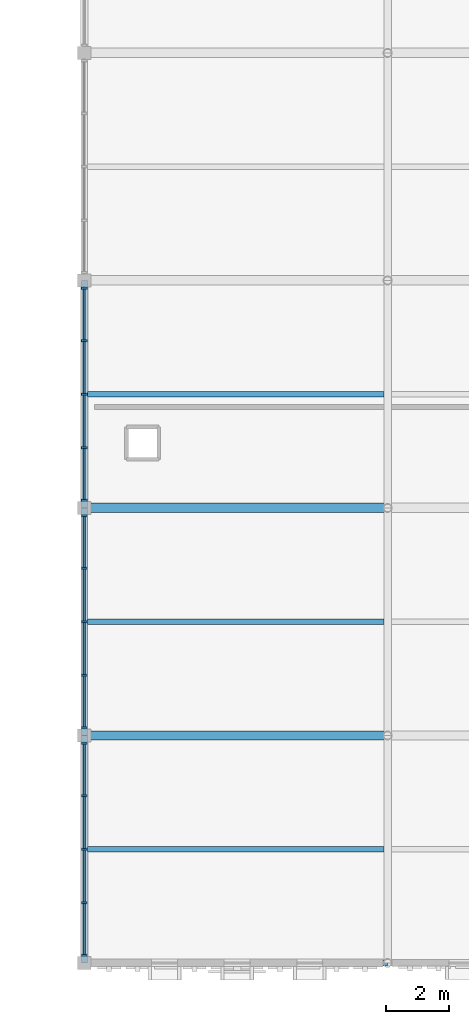
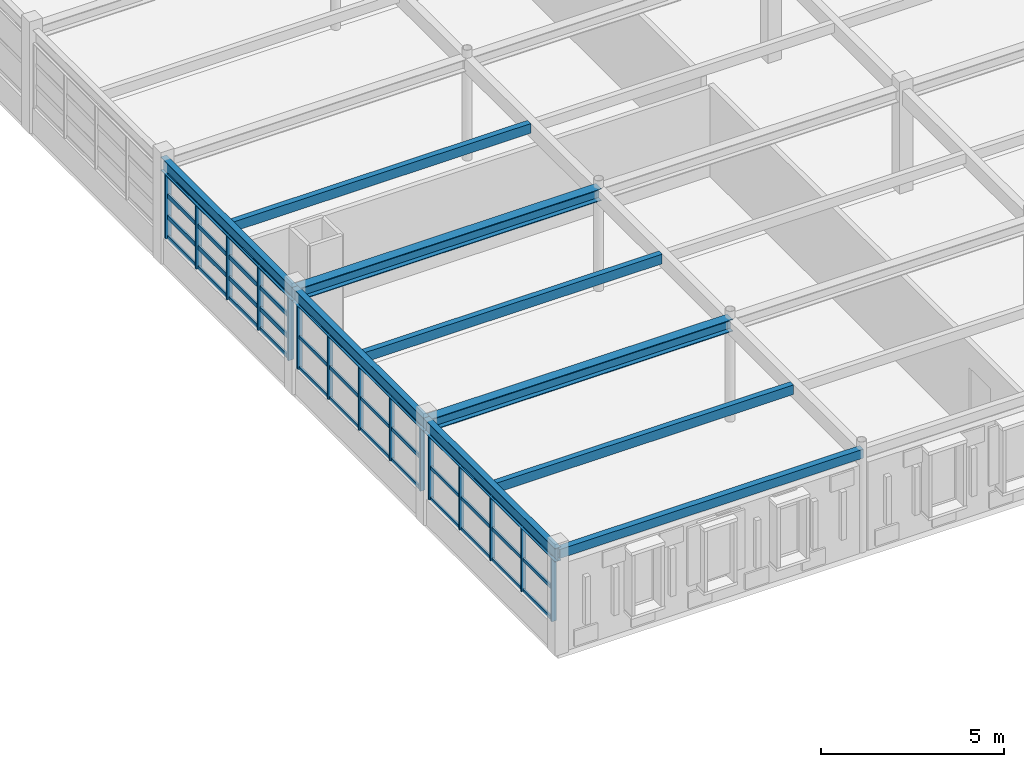
# One storey, part 10 of 46: 55 members, 9 beams, 3 elements without a shape of their own.
"""IFC4 building model written with IfcOpenShell, lengths in metres."""

from ifc_helpers import new_model, si_unit, direction, frame, origin, origin_2d, place, context, subcontext, project, spatial, rectangle, hollow_rectangle, i_section, extrude, material, material_profile, profile_set, type_object, element, aggregate, save


model = new_model("IFC4")

# Units and contexts
model_context = context("Model", 3, precision=1e-05, world=origin(), true_north=direction((0.0, 1.0)))
body_context = subcontext(model_context, "Body", "Model", "MODEL_VIEW")
ifc_project = project(units=[si_unit("LENGTHUNIT", "METRE"), si_unit("AREAUNIT", "SQUARE_METRE"), si_unit("VOLUMEUNIT", "CUBIC_METRE"), si_unit("PLANEANGLEUNIT", "RADIAN"), si_unit("MASSUNIT", "GRAM", prefix="KILO")], contexts=[model_context])

# Site, building, storey
site_placement = place(None, origin())
site = spatial("IfcSite", under=ifc_project, at=site_placement, CompositionType="ELEMENT")
building_placement = place(site_placement, origin())
building = spatial("IfcBuilding", under=site, at=building_placement, Name="Nzembalo Square Collegiate School", CompositionType="ELEMENT")
storey_placement = place(building_placement, frame((0.0, 0.0, 17.340087890625)))
storey = spatial("IfcBuildingStorey", under=building, at=storey_placement, Name="L04", CompositionType="ELEMENT", Elevation=17.340087890625)

# Beams
ifc_material_1 = material(Name="Steel S355", Category="steel")
ifc_material_profile_1 = material_profile(ifc_material_1, i_section(OverallWidth=0.18994140625, OverallDepth=0.449951171875, WebThickness=0.009521484375, FlangeThickness=0.0146484375, at=origin_2d()), Name="IPE 450")
ifc_profile_set_1 = profile_set([ifc_material_profile_1], Name="Steel S355")
beam_type_1 = type_object("IfcBeamType", Name="B09", PredefinedType="BEAM", material=ifc_profile_set_1)
beam_1_placement = place(storey_placement, frame((130.800048828125, 8.39990234375, 3.2099609375), z_axis=(0.0, 1.0, 0.0), x_axis=(-1.0, 0.0, 0.0)))
element("IfcBeam", 1, at=beam_1_placement, inside=storey, type_object=beam_type_1, Name="Beam B09 L04", PredefinedType="BEAM", context=body_context, shape_type="SweptSolid", body=[
    extrude(i_section(OverallWidth=0.18994140625, OverallDepth=0.449951171875, WebThickness=0.009521484375, FlangeThickness=0.0146484375, at=origin_2d()), origin(), (0.0, 0.0, 1.0), 7.2001953125),
])
for number, where, z_axis, x_axis, name in (
    (2, (130.800048828125, 15.60009765625, 3.2099609375), (0.0, 1.0, 0.0), (-1.0, 0.0, 0.0), "Beam B09 L04"),
    (3, (130.800048828125, 22.800048828125, 3.2099609375), (0.0, 1.0, 0.0), (-1.0, 0.0, 0.0), "Beam B09 L04"),
):
    element("IfcBeam", number, at=place(storey_placement, frame(where, z_axis=z_axis, x_axis=x_axis)), inside=storey, type_object=beam_type_1, Name=name, PredefinedType="BEAM", context=body_context, shape_type="SweptSolid", body=[
        extrude(i_section(OverallWidth=0.18994140625, OverallDepth=0.449951171875, WebThickness=0.009521484375, FlangeThickness=0.0146484375, at=origin_2d()), origin(), (0.0, 0.0, 1.0), 7.199951171875),
    ])
ifc_material_2 = material(Name="Steel S355", Category="steel")
ifc_material_profile_2 = material_profile(ifc_material_2, i_section(OverallWidth=0.300048828125, OverallDepth=0.39990234375, WebThickness=0.013427734375, FlangeThickness=0.02392578125, at=origin_2d()), Name="HEB 400")
ifc_profile_set_2 = profile_set([ifc_material_profile_2], Name="Steel S355")
beam_type_2 = type_object("IfcBeamType", Name="B10", PredefinedType="BEAM", material=ifc_profile_set_2)
for number, where, z_axis, x_axis, name in (
    (4, (130.800048828125, 15.60009765625, 3.23486328125), (1.0, 0.0, 0.0), (0.0, 1.0, 0.0), "Beam B10 L04"),
    (5, (130.800048828125, 22.800048828125, 3.23486328125), (1.0, 0.0, 0.0), (0.0, 1.0, 0.0), "Beam B10 L04"),
):
    element("IfcBeam", number, at=place(storey_placement, frame(where, z_axis=z_axis, x_axis=x_axis)), inside=storey, type_object=beam_type_2, Name=name, PredefinedType="BEAM", context=body_context, shape_type="SweptSolid", body=[
        extrude(i_section(OverallWidth=0.300048828125, OverallDepth=0.39990234375, WebThickness=0.013427734375, FlangeThickness=0.02392578125, at=origin_2d()), origin(), (0.0, 0.0, 1.0), 9.599853515625),
    ])
ifc_material_3 = material(Name="Glulam GL28h", Category="wood")
ifc_material_profile_3 = material_profile(ifc_material_3, rectangle(XDim=0.179931640625, YDim=0.320068359375, at=origin_2d()), Name="GL28h 180x320")
ifc_profile_set_3 = profile_set([ifc_material_profile_3], Name="Glulam GL28h")
beam_type_3 = type_object("IfcBeamType", Name="J02", PredefinedType="JOIST", material=ifc_profile_set_3)
for number, where, z_axis, x_axis, name in (
    (6, (130.89501953125, 12.0, 3.27490234375), (1.0, 0.0, 0.0), (0.0, 1.0, 0.0), "Secondary joist J02 L04"),
    (7, (130.89501953125, 19.199951171875, 3.27490234375), (1.0, 0.0, 0.0), (0.0, 1.0, 0.0), "Secondary joist J02 L04"),
    (8, (130.89501953125, 26.39990234375, 3.27490234375), (1.0, 0.0, 0.0), (0.0, 1.0, 0.0), "Secondary joist J02 L04"),
):
    element("IfcBeam", number, at=place(storey_placement, frame(where, z_axis=z_axis, x_axis=x_axis)), inside=storey, type_object=beam_type_3, Name=name, PredefinedType="JOIST", context=body_context, shape_type="SweptSolid", body=[
        extrude(rectangle(XDim=0.179931640625, YDim=0.320068359375, at=origin_2d()), origin(), (0.0, 0.0, 1.0), 9.385009765625),
    ])
ifc_material_4 = material(Name="Steel S355", Category="steel")
ifc_material_profile_4 = material_profile(ifc_material_4, hollow_rectangle(XDim=0.199951171875, YDim=0.300048828125, WallThickness=0.011962890625, at=origin_2d()), Name="RHS 300x200x12")
ifc_profile_set_4 = profile_set([ifc_material_profile_4], Name="Steel S355")
beam_type_4 = type_object("IfcBeamType", Name="SP03", PredefinedType="SPANDREL", material=ifc_profile_set_4)
beam_2_placement = place(storey_placement, frame((130.800048828125, 8.39990234375, 3.284912109375), z_axis=(1.0, 0.0, 0.0), x_axis=(0.0, 1.0, 0.0)))
element("IfcBeam", 9, at=beam_2_placement, inside=storey, type_object=beam_type_4, Name="Beam SP03 L04", PredefinedType="SPANDREL", context=body_context, shape_type="SweptSolid", body=[
    extrude(hollow_rectangle(XDim=0.199951171875, YDim=0.300048828125, WallThickness=0.011962890625, at=origin_2d()), origin(), (0.0, 0.0, 1.0), 9.599853515625),
])

# Curtain wall, members
ifc_material_5 = material(Name="Aluminium 6060-T66", Category="aluminium")
curtain_wall_type_1 = type_object("IfcCurtainWallType", Name="CW-01", PredefinedType="USERDEFINED", material=ifc_material_5)
curtain_wall_1_placement = place(storey_placement, origin())
curtain_wall_1 = element("IfcCurtainWall", 10, at=curtain_wall_1_placement, inside=storey, type_object=curtain_wall_type_1, Name="Curtain wall CW-01 cw:L04:144", ObjectType="UNITISED", PredefinedType="USERDEFINED")
ifc_material_6 = material(Name="Aluminium 6060-T66", Category="aluminium")
ifc_material_profile_5 = material_profile(ifc_material_6, rectangle(XDim=0.06005859375, YDim=0.179931640625, at=origin_2d()), Name="ALU M60x180")
ifc_profile_set_5 = profile_set([ifc_material_profile_5], Name="Aluminium 6060-T66")
member_type_1 = type_object("IfcMemberType", Name="ML01", PredefinedType="MULLION", material=ifc_profile_set_5)
member_1_placement = place(storey_placement, frame((130.800048828125, 23.0419921875, 0.849853515625), z_axis=(0.0, 0.0, 1.0), x_axis=(0.0, 1.0, 0.0)))
member_1 = element("IfcMember", 11, at=member_1_placement, type_object=member_type_1, Name="ML01 mullion 1", PredefinedType="MULLION", context=body_context, shape_type="SweptSolid", body=[
    extrude(rectangle(XDim=0.06005859375, YDim=0.179931640625, at=origin_2d()), origin(), (0.0, 0.0, 1.0), 2.129150390625),
])
member_2_placement = place(storey_placement, frame((130.800048828125, 24.7060546875, 0.849853515625), z_axis=(0.0, 0.0, 1.0), x_axis=(0.0, 1.0, 0.0)))
member_2 = element("IfcMember", 12, at=member_2_placement, type_object=member_type_1, Name="ML01 mullion 2", PredefinedType="MULLION", context=body_context, shape_type="SweptSolid", body=[
    extrude(rectangle(XDim=0.06005859375, YDim=0.179931640625, at=origin_2d()), origin(), (0.0, 0.0, 1.0), 2.129150390625),
])
member_3_placement = place(storey_placement, frame((130.800048828125, 26.39990234375, 0.849853515625), z_axis=(0.0, 0.0, 1.0), x_axis=(0.0, 1.0, 0.0)))
member_3 = element("IfcMember", 13, at=member_3_placement, type_object=member_type_1, Name="ML01 mullion 3", PredefinedType="MULLION", context=body_context, shape_type="SweptSolid", body=[
    extrude(rectangle(XDim=0.06005859375, YDim=0.179931640625, at=origin_2d()), origin(), (0.0, 0.0, 1.0), 2.129150390625),
])
member_4_placement = place(storey_placement, frame((130.800048828125, 28.093994140625, 0.849853515625), z_axis=(0.0, 0.0, 1.0), x_axis=(0.0, 1.0, 0.0)))
member_4 = element("IfcMember", 14, at=member_4_placement, type_object=member_type_1, Name="ML01 mullion 4", PredefinedType="MULLION", context=body_context, shape_type="SweptSolid", body=[
    extrude(rectangle(XDim=0.06005859375, YDim=0.179931640625, at=origin_2d()), origin(), (0.0, 0.0, 1.0), 2.129150390625),
])
member_5_placement = place(storey_placement, frame((130.800048828125, 29.758056640625, 0.849853515625), z_axis=(0.0, 0.0, 1.0), x_axis=(0.0, 1.0, 0.0)))
member_5 = element("IfcMember", 15, at=member_5_placement, type_object=member_type_1, Name="ML01 mullion 5", PredefinedType="MULLION", context=body_context, shape_type="SweptSolid", body=[
    extrude(rectangle(XDim=0.06005859375, YDim=0.179931640625, at=origin_2d()), origin(), (0.0, 0.0, 1.0), 2.129150390625),
])

ifc_material_7 = material(Name="Aluminium 6060-T66", Category="aluminium")
curtain_wall_type_2 = type_object("IfcCurtainWallType", Name="CW-07", PredefinedType="USERDEFINED", material=ifc_material_7)
curtain_wall_2_placement = place(storey_placement, origin())
curtain_wall_2 = element("IfcCurtainWall", 16, at=curtain_wall_2_placement, inside=storey, type_object=curtain_wall_type_2, Name="Curtain wall CW-07 cw:L04:142", ObjectType="LANCET", PredefinedType="USERDEFINED")
ifc_material_8 = material(Name="Aluminium 6060-T66", Category="aluminium")
ifc_material_profile_6 = material_profile(ifc_material_8, rectangle(XDim=0.06005859375, YDim=0.14990234375, at=origin_2d()), Name="ALU M60x150")
ifc_profile_set_6 = profile_set([ifc_material_profile_6], Name="Aluminium 6060-T66")
member_type_2 = type_object("IfcMemberType", Name="ML02", PredefinedType="MULLION", material=ifc_profile_set_6)
member_6_placement = place(storey_placement, frame((130.800048828125, 8.64208984375, 0.849853515625), z_axis=(0.0, 0.0, 1.0), x_axis=(0.0, 1.0, 0.0)))
member_6 = element("IfcMember", 17, at=member_6_placement, type_object=member_type_2, Name="ML02 mullion 1", PredefinedType="MULLION", context=body_context, shape_type="SweptSolid", body=[
    extrude(rectangle(XDim=0.06005859375, YDim=0.14990234375, at=origin_2d()), origin(), (0.0, 0.0, 1.0), 2.129150390625),
])
member_7_placement = place(storey_placement, frame((130.800048828125, 10.305908203125, 0.849853515625), z_axis=(0.0, 0.0, 1.0), x_axis=(0.0, 1.0, 0.0)))
member_7 = element("IfcMember", 18, at=member_7_placement, type_object=member_type_2, Name="ML02 mullion 2", PredefinedType="MULLION", context=body_context, shape_type="SweptSolid", body=[
    extrude(rectangle(XDim=0.06005859375, YDim=0.14990234375, at=origin_2d()), origin(), (0.0, 0.0, 1.0), 2.129150390625),
])
member_8_placement = place(storey_placement, frame((130.800048828125, 12.0, 0.849853515625), z_axis=(0.0, 0.0, 1.0), x_axis=(0.0, 1.0, 0.0)))
member_8 = element("IfcMember", 19, at=member_8_placement, type_object=member_type_2, Name="ML02 mullion 3", PredefinedType="MULLION", context=body_context, shape_type="SweptSolid", body=[
    extrude(rectangle(XDim=0.06005859375, YDim=0.14990234375, at=origin_2d()), origin(), (0.0, 0.0, 1.0), 2.129150390625),
])
member_9_placement = place(storey_placement, frame((130.800048828125, 13.694091796875, 0.849853515625), z_axis=(0.0, 0.0, 1.0), x_axis=(0.0, 1.0, 0.0)))
member_9 = element("IfcMember", 20, at=member_9_placement, type_object=member_type_2, Name="ML02 mullion 4", PredefinedType="MULLION", context=body_context, shape_type="SweptSolid", body=[
    extrude(rectangle(XDim=0.06005859375, YDim=0.14990234375, at=origin_2d()), origin(), (0.0, 0.0, 1.0), 2.129150390625),
])
member_10_placement = place(storey_placement, frame((130.800048828125, 15.35791015625, 0.849853515625), z_axis=(0.0, 0.0, 1.0), x_axis=(0.0, 1.0, 0.0)))
member_10 = element("IfcMember", 21, at=member_10_placement, type_object=member_type_2, Name="ML02 mullion 5", PredefinedType="MULLION", context=body_context, shape_type="SweptSolid", body=[
    extrude(rectangle(XDim=0.06005859375, YDim=0.14990234375, at=origin_2d()), origin(), (0.0, 0.0, 1.0), 2.129150390625),
])

ifc_material_9 = material(Name="Aluminium 6060-T66", Category="aluminium")
curtain_wall_type_3 = type_object("IfcCurtainWallType", Name="CW-08", PredefinedType="USERDEFINED", material=ifc_material_9)
curtain_wall_3_placement = place(storey_placement, origin())
curtain_wall_3 = element("IfcCurtainWall", 22, at=curtain_wall_3_placement, inside=storey, type_object=curtain_wall_type_3, Name="Curtain wall CW-08 cw:L04:143", ObjectType="LANCET", PredefinedType="USERDEFINED")
member_11_placement = place(storey_placement, frame((130.800048828125, 15.842041015625, 0.849853515625), z_axis=(0.0, 0.0, 1.0), x_axis=(0.0, 1.0, 0.0)))
member_11 = element("IfcMember", 23, at=member_11_placement, type_object=member_type_2, Name="ML02 mullion 1", PredefinedType="MULLION", context=body_context, shape_type="SweptSolid", body=[
    extrude(rectangle(XDim=0.06005859375, YDim=0.14990234375, at=origin_2d()), origin(), (0.0, 0.0, 1.0), 2.129150390625),
])
member_12_placement = place(storey_placement, frame((130.800048828125, 17.506103515625, 0.849853515625), z_axis=(0.0, 0.0, 1.0), x_axis=(0.0, 1.0, 0.0)))
member_12 = element("IfcMember", 24, at=member_12_placement, type_object=member_type_2, Name="ML02 mullion 2", PredefinedType="MULLION", context=body_context, shape_type="SweptSolid", body=[
    extrude(rectangle(XDim=0.06005859375, YDim=0.14990234375, at=origin_2d()), origin(), (0.0, 0.0, 1.0), 2.129150390625),
])
member_13_placement = place(storey_placement, frame((130.800048828125, 19.199951171875, 0.849853515625), z_axis=(0.0, 0.0, 1.0), x_axis=(0.0, 1.0, 0.0)))
member_13 = element("IfcMember", 25, at=member_13_placement, type_object=member_type_2, Name="ML02 mullion 3", PredefinedType="MULLION", context=body_context, shape_type="SweptSolid", body=[
    extrude(rectangle(XDim=0.06005859375, YDim=0.14990234375, at=origin_2d()), origin(), (0.0, 0.0, 1.0), 2.129150390625),
])
member_14_placement = place(storey_placement, frame((130.800048828125, 20.89404296875, 0.849853515625), z_axis=(0.0, 0.0, 1.0), x_axis=(0.0, 1.0, 0.0)))
member_14 = element("IfcMember", 26, at=member_14_placement, type_object=member_type_2, Name="ML02 mullion 4", PredefinedType="MULLION", context=body_context, shape_type="SweptSolid", body=[
    extrude(rectangle(XDim=0.06005859375, YDim=0.14990234375, at=origin_2d()), origin(), (0.0, 0.0, 1.0), 2.129150390625),
])
member_15_placement = place(storey_placement, frame((130.800048828125, 22.55810546875, 0.849853515625), z_axis=(0.0, 0.0, 1.0), x_axis=(0.0, 1.0, 0.0)))
member_15 = element("IfcMember", 27, at=member_15_placement, type_object=member_type_2, Name="ML02 mullion 5", PredefinedType="MULLION", context=body_context, shape_type="SweptSolid", body=[
    extrude(rectangle(XDim=0.06005859375, YDim=0.14990234375, at=origin_2d()), origin(), (0.0, 0.0, 1.0), 2.129150390625),
])

# Member
ifc_material_10 = material(Name="Aluminium 6060-T66", Category="aluminium")
ifc_material_profile_7 = material_profile(ifc_material_10, rectangle(XDim=0.06005859375, YDim=0.139892578125, at=origin_2d()), Name="ALU T60x140")
ifc_profile_set_7 = profile_set([ifc_material_profile_7], Name="Aluminium 6060-T66")
member_type_3 = type_object("IfcMemberType", Name="TR01", PredefinedType="USERDEFINED", material=ifc_profile_set_7)
member_16_placement = place(storey_placement, frame((130.800048828125, 23.072021484375, 0.8798828125), z_axis=(0.0, 1.0, 0.0), x_axis=(-1.0, 0.0, 0.0)))
member_16 = element("IfcMember", 28, at=member_16_placement, type_object=member_type_3, Name="TR01 transom 1-1", ObjectType="TRANSOM", PredefinedType="USERDEFINED", context=body_context, shape_type="SweptSolid", body=[
    extrude(rectangle(XDim=0.06005859375, YDim=0.139892578125, at=origin_2d()), origin(), (0.0, 0.0, 1.0), 1.60400390625),
])

member_17_placement = place(storey_placement, frame((130.800048828125, 24.736083984375, 0.8798828125), z_axis=(0.0, 1.0, 0.0), x_axis=(-1.0, 0.0, 0.0)))
member_17 = element("IfcMember", 29, at=member_17_placement, type_object=member_type_3, Name="TR01 transom 1-2", ObjectType="TRANSOM", PredefinedType="USERDEFINED", context=body_context, shape_type="SweptSolid", body=[
    extrude(rectangle(XDim=0.06005859375, YDim=0.139892578125, at=origin_2d()), origin(), (0.0, 0.0, 1.0), 1.634033203125),
])

member_18_placement = place(storey_placement, frame((130.800048828125, 26.429931640625, 0.8798828125), z_axis=(0.0, 1.0, 0.0), x_axis=(-1.0, 0.0, 0.0)))
member_18 = element("IfcMember", 30, at=member_18_placement, type_object=member_type_3, Name="TR01 transom 1-3", ObjectType="TRANSOM", PredefinedType="USERDEFINED", context=body_context, shape_type="SweptSolid", body=[
    extrude(rectangle(XDim=0.06005859375, YDim=0.139892578125, at=origin_2d()), origin(), (0.0, 0.0, 1.0), 1.634033203125),
])

member_19_placement = place(storey_placement, frame((130.800048828125, 28.1240234375, 0.8798828125), z_axis=(0.0, 1.0, 0.0), x_axis=(-1.0, 0.0, 0.0)))
member_19 = element("IfcMember", 31, at=member_19_placement, type_object=member_type_3, Name="TR01 transom 1-4", ObjectType="TRANSOM", PredefinedType="USERDEFINED", context=body_context, shape_type="SweptSolid", body=[
    extrude(rectangle(XDim=0.06005859375, YDim=0.139892578125, at=origin_2d()), origin(), (0.0, 0.0, 1.0), 1.60400390625),
])

member_20_placement = place(storey_placement, frame((130.800048828125, 23.072021484375, 1.5595703125), z_axis=(0.0, 1.0, 0.0), x_axis=(-1.0, 0.0, 0.0)))
member_20 = element("IfcMember", 32, at=member_20_placement, type_object=member_type_3, Name="TR01 transom 2-1", ObjectType="TRANSOM", PredefinedType="USERDEFINED", context=body_context, shape_type="SweptSolid", body=[
    extrude(rectangle(XDim=0.06005859375, YDim=0.139892578125, at=origin_2d()), origin(), (0.0, 0.0, 1.0), 1.60400390625),
])

member_21_placement = place(storey_placement, frame((130.800048828125, 24.736083984375, 1.5595703125), z_axis=(0.0, 1.0, 0.0), x_axis=(-1.0, 0.0, 0.0)))
member_21 = element("IfcMember", 33, at=member_21_placement, type_object=member_type_3, Name="TR01 transom 2-2", ObjectType="TRANSOM", PredefinedType="USERDEFINED", context=body_context, shape_type="SweptSolid", body=[
    extrude(rectangle(XDim=0.06005859375, YDim=0.139892578125, at=origin_2d()), origin(), (0.0, 0.0, 1.0), 1.634033203125),
])

member_22_placement = place(storey_placement, frame((130.800048828125, 26.429931640625, 1.5595703125), z_axis=(0.0, 1.0, 0.0), x_axis=(-1.0, 0.0, 0.0)))
member_22 = element("IfcMember", 34, at=member_22_placement, type_object=member_type_3, Name="TR01 transom 2-3", ObjectType="TRANSOM", PredefinedType="USERDEFINED", context=body_context, shape_type="SweptSolid", body=[
    extrude(rectangle(XDim=0.06005859375, YDim=0.139892578125, at=origin_2d()), origin(), (0.0, 0.0, 1.0), 1.634033203125),
])

member_23_placement = place(storey_placement, frame((130.800048828125, 28.1240234375, 1.5595703125), z_axis=(0.0, 1.0, 0.0), x_axis=(-1.0, 0.0, 0.0)))
member_23 = element("IfcMember", 35, at=member_23_placement, type_object=member_type_3, Name="TR01 transom 2-4", ObjectType="TRANSOM", PredefinedType="USERDEFINED", context=body_context, shape_type="SweptSolid", body=[
    extrude(rectangle(XDim=0.06005859375, YDim=0.139892578125, at=origin_2d()), origin(), (0.0, 0.0, 1.0), 1.60400390625),
])

member_24_placement = place(storey_placement, frame((130.800048828125, 23.072021484375, 2.269287109375), z_axis=(0.0, 1.0, 0.0), x_axis=(-1.0, 0.0, 0.0)))
member_24 = element("IfcMember", 36, at=member_24_placement, type_object=member_type_3, Name="TR01 transom 3-1", ObjectType="TRANSOM", PredefinedType="USERDEFINED", context=body_context, shape_type="SweptSolid", body=[
    extrude(rectangle(XDim=0.06005859375, YDim=0.139892578125, at=origin_2d()), origin(), (0.0, 0.0, 1.0), 1.60400390625),
])

member_25_placement = place(storey_placement, frame((130.800048828125, 24.736083984375, 2.269287109375), z_axis=(0.0, 1.0, 0.0), x_axis=(-1.0, 0.0, 0.0)))
member_25 = element("IfcMember", 37, at=member_25_placement, type_object=member_type_3, Name="TR01 transom 3-2", ObjectType="TRANSOM", PredefinedType="USERDEFINED", context=body_context, shape_type="SweptSolid", body=[
    extrude(rectangle(XDim=0.06005859375, YDim=0.139892578125, at=origin_2d()), origin(), (0.0, 0.0, 1.0), 1.634033203125),
])

member_26_placement = place(storey_placement, frame((130.800048828125, 26.429931640625, 2.269287109375), z_axis=(0.0, 1.0, 0.0), x_axis=(-1.0, 0.0, 0.0)))
member_26 = element("IfcMember", 38, at=member_26_placement, type_object=member_type_3, Name="TR01 transom 3-3", ObjectType="TRANSOM", PredefinedType="USERDEFINED", context=body_context, shape_type="SweptSolid", body=[
    extrude(rectangle(XDim=0.06005859375, YDim=0.139892578125, at=origin_2d()), origin(), (0.0, 0.0, 1.0), 1.634033203125),
])

member_27_placement = place(storey_placement, frame((130.800048828125, 28.1240234375, 2.269287109375), z_axis=(0.0, 1.0, 0.0), x_axis=(-1.0, 0.0, 0.0)))
member_27 = element("IfcMember", 39, at=member_27_placement, type_object=member_type_3, Name="TR01 transom 3-4", ObjectType="TRANSOM", PredefinedType="USERDEFINED", context=body_context, shape_type="SweptSolid", body=[
    extrude(rectangle(XDim=0.06005859375, YDim=0.139892578125, at=origin_2d()), origin(), (0.0, 0.0, 1.0), 1.60400390625),
])

member_28_placement = place(storey_placement, frame((130.800048828125, 23.072021484375, 2.948974609375), z_axis=(0.0, 1.0, 0.0), x_axis=(-1.0, 0.0, 0.0)))
member_28 = element("IfcMember", 40, at=member_28_placement, type_object=member_type_3, Name="TR01 transom 4-1", ObjectType="TRANSOM", PredefinedType="USERDEFINED", context=body_context, shape_type="SweptSolid", body=[
    extrude(rectangle(XDim=0.06005859375, YDim=0.139892578125, at=origin_2d()), origin(), (0.0, 0.0, 1.0), 1.60400390625),
])

member_29_placement = place(storey_placement, frame((130.800048828125, 24.736083984375, 2.948974609375), z_axis=(0.0, 1.0, 0.0), x_axis=(-1.0, 0.0, 0.0)))
member_29 = element("IfcMember", 41, at=member_29_placement, type_object=member_type_3, Name="TR01 transom 4-2", ObjectType="TRANSOM", PredefinedType="USERDEFINED", context=body_context, shape_type="SweptSolid", body=[
    extrude(rectangle(XDim=0.06005859375, YDim=0.139892578125, at=origin_2d()), origin(), (0.0, 0.0, 1.0), 1.634033203125),
])

member_30_placement = place(storey_placement, frame((130.800048828125, 26.429931640625, 2.948974609375), z_axis=(0.0, 1.0, 0.0), x_axis=(-1.0, 0.0, 0.0)))
member_30 = element("IfcMember", 42, at=member_30_placement, type_object=member_type_3, Name="TR01 transom 4-3", ObjectType="TRANSOM", PredefinedType="USERDEFINED", context=body_context, shape_type="SweptSolid", body=[
    extrude(rectangle(XDim=0.06005859375, YDim=0.139892578125, at=origin_2d()), origin(), (0.0, 0.0, 1.0), 1.634033203125),
])

member_31_placement = place(storey_placement, frame((130.800048828125, 28.1240234375, 2.948974609375), z_axis=(0.0, 1.0, 0.0), x_axis=(-1.0, 0.0, 0.0)))
member_31 = element("IfcMember", 43, at=member_31_placement, type_object=member_type_3, Name="TR01 transom 4-4", ObjectType="TRANSOM", PredefinedType="USERDEFINED", context=body_context, shape_type="SweptSolid", body=[
    extrude(rectangle(XDim=0.06005859375, YDim=0.139892578125, at=origin_2d()), origin(), (0.0, 0.0, 1.0), 1.60400390625),
])

aggregate(curtain_wall_1, [member_1, member_2, member_3, member_4, member_5, member_16, member_17, member_18, member_19, member_20, member_21, member_22, member_23, member_24, member_25, member_26, member_27, member_28, member_29, member_30, member_31])

ifc_material_11 = material(Name="Aluminium 6060-T66", Category="aluminium")
ifc_material_profile_8 = material_profile(ifc_material_11, rectangle(XDim=0.06005859375, YDim=0.110107421875, at=origin_2d()), Name="ALU T60x110")
ifc_profile_set_8 = profile_set([ifc_material_profile_8], Name="Aluminium 6060-T66")
member_type_4 = type_object("IfcMemberType", Name="TR02", PredefinedType="USERDEFINED", material=ifc_profile_set_8)
member_32_placement = place(storey_placement, frame((130.800048828125, 8.672119140625, 0.8798828125), z_axis=(0.0, 1.0, 0.0), x_axis=(-1.0, 0.0, 0.0)))
member_32 = element("IfcMember", 44, at=member_32_placement, type_object=member_type_4, Name="TR02 transom 1-1", ObjectType="TRANSOM", PredefinedType="USERDEFINED", context=body_context, shape_type="SweptSolid", body=[
    extrude(rectangle(XDim=0.06005859375, YDim=0.110107421875, at=origin_2d()), origin(), (0.0, 0.0, 1.0), 1.603759765625),
])

member_33_placement = place(storey_placement, frame((130.800048828125, 10.3359375, 0.8798828125), z_axis=(0.0, 1.0, 0.0), x_axis=(-1.0, 0.0, 0.0)))
member_33 = element("IfcMember", 45, at=member_33_placement, type_object=member_type_4, Name="TR02 transom 1-2", ObjectType="TRANSOM", PredefinedType="USERDEFINED", context=body_context, shape_type="SweptSolid", body=[
    extrude(rectangle(XDim=0.06005859375, YDim=0.110107421875, at=origin_2d()), origin(), (0.0, 0.0, 1.0), 1.634033203125),
])

member_34_placement = place(storey_placement, frame((130.800048828125, 12.030029296875, 0.8798828125), z_axis=(0.0, 1.0, 0.0), x_axis=(-1.0, 0.0, 0.0)))
member_34 = element("IfcMember", 46, at=member_34_placement, type_object=member_type_4, Name="TR02 transom 1-3", ObjectType="TRANSOM", PredefinedType="USERDEFINED", context=body_context, shape_type="SweptSolid", body=[
    extrude(rectangle(XDim=0.06005859375, YDim=0.110107421875, at=origin_2d()), origin(), (0.0, 0.0, 1.0), 1.634033203125),
])

member_35_placement = place(storey_placement, frame((130.800048828125, 13.72412109375, 0.8798828125), z_axis=(0.0, 1.0, 0.0), x_axis=(-1.0, 0.0, 0.0)))
member_35 = element("IfcMember", 47, at=member_35_placement, type_object=member_type_4, Name="TR02 transom 1-4", ObjectType="TRANSOM", PredefinedType="USERDEFINED", context=body_context, shape_type="SweptSolid", body=[
    extrude(rectangle(XDim=0.06005859375, YDim=0.110107421875, at=origin_2d()), origin(), (0.0, 0.0, 1.0), 1.603759765625),
])

member_36_placement = place(storey_placement, frame((130.800048828125, 8.672119140625, 1.914306640625), z_axis=(0.0, 1.0, 0.0), x_axis=(-1.0, 0.0, 0.0)))
member_36 = element("IfcMember", 48, at=member_36_placement, type_object=member_type_4, Name="TR02 transom 2-1", ObjectType="TRANSOM", PredefinedType="USERDEFINED", context=body_context, shape_type="SweptSolid", body=[
    extrude(rectangle(XDim=0.06005859375, YDim=0.110107421875, at=origin_2d()), origin(), (0.0, 0.0, 1.0), 1.603759765625),
])

member_37_placement = place(storey_placement, frame((130.800048828125, 10.3359375, 1.914306640625), z_axis=(0.0, 1.0, 0.0), x_axis=(-1.0, 0.0, 0.0)))
member_37 = element("IfcMember", 49, at=member_37_placement, type_object=member_type_4, Name="TR02 transom 2-2", ObjectType="TRANSOM", PredefinedType="USERDEFINED", context=body_context, shape_type="SweptSolid", body=[
    extrude(rectangle(XDim=0.06005859375, YDim=0.110107421875, at=origin_2d()), origin(), (0.0, 0.0, 1.0), 1.634033203125),
])

member_38_placement = place(storey_placement, frame((130.800048828125, 12.030029296875, 1.914306640625), z_axis=(0.0, 1.0, 0.0), x_axis=(-1.0, 0.0, 0.0)))
member_38 = element("IfcMember", 50, at=member_38_placement, type_object=member_type_4, Name="TR02 transom 2-3", ObjectType="TRANSOM", PredefinedType="USERDEFINED", context=body_context, shape_type="SweptSolid", body=[
    extrude(rectangle(XDim=0.06005859375, YDim=0.110107421875, at=origin_2d()), origin(), (0.0, 0.0, 1.0), 1.634033203125),
])

member_39_placement = place(storey_placement, frame((130.800048828125, 13.72412109375, 1.914306640625), z_axis=(0.0, 1.0, 0.0), x_axis=(-1.0, 0.0, 0.0)))
member_39 = element("IfcMember", 51, at=member_39_placement, type_object=member_type_4, Name="TR02 transom 2-4", ObjectType="TRANSOM", PredefinedType="USERDEFINED", context=body_context, shape_type="SweptSolid", body=[
    extrude(rectangle(XDim=0.06005859375, YDim=0.110107421875, at=origin_2d()), origin(), (0.0, 0.0, 1.0), 1.603759765625),
])

member_40_placement = place(storey_placement, frame((130.800048828125, 8.672119140625, 2.948974609375), z_axis=(0.0, 1.0, 0.0), x_axis=(-1.0, 0.0, 0.0)))
member_40 = element("IfcMember", 52, at=member_40_placement, type_object=member_type_4, Name="TR02 transom 3-1", ObjectType="TRANSOM", PredefinedType="USERDEFINED", context=body_context, shape_type="SweptSolid", body=[
    extrude(rectangle(XDim=0.06005859375, YDim=0.110107421875, at=origin_2d()), origin(), (0.0, 0.0, 1.0), 1.603759765625),
])

member_41_placement = place(storey_placement, frame((130.800048828125, 10.3359375, 2.948974609375), z_axis=(0.0, 1.0, 0.0), x_axis=(-1.0, 0.0, 0.0)))
member_41 = element("IfcMember", 53, at=member_41_placement, type_object=member_type_4, Name="TR02 transom 3-2", ObjectType="TRANSOM", PredefinedType="USERDEFINED", context=body_context, shape_type="SweptSolid", body=[
    extrude(rectangle(XDim=0.06005859375, YDim=0.110107421875, at=origin_2d()), origin(), (0.0, 0.0, 1.0), 1.634033203125),
])

member_42_placement = place(storey_placement, frame((130.800048828125, 12.030029296875, 2.948974609375), z_axis=(0.0, 1.0, 0.0), x_axis=(-1.0, 0.0, 0.0)))
member_42 = element("IfcMember", 54, at=member_42_placement, type_object=member_type_4, Name="TR02 transom 3-3", ObjectType="TRANSOM", PredefinedType="USERDEFINED", context=body_context, shape_type="SweptSolid", body=[
    extrude(rectangle(XDim=0.06005859375, YDim=0.110107421875, at=origin_2d()), origin(), (0.0, 0.0, 1.0), 1.634033203125),
])

member_43_placement = place(storey_placement, frame((130.800048828125, 13.72412109375, 2.948974609375), z_axis=(0.0, 1.0, 0.0), x_axis=(-1.0, 0.0, 0.0)))
member_43 = element("IfcMember", 55, at=member_43_placement, type_object=member_type_4, Name="TR02 transom 3-4", ObjectType="TRANSOM", PredefinedType="USERDEFINED", context=body_context, shape_type="SweptSolid", body=[
    extrude(rectangle(XDim=0.06005859375, YDim=0.110107421875, at=origin_2d()), origin(), (0.0, 0.0, 1.0), 1.603759765625),
])

aggregate(curtain_wall_2, [member_6, member_7, member_8, member_9, member_10, member_32, member_33, member_34, member_35, member_36, member_37, member_38, member_39, member_40, member_41, member_42, member_43])

member_44_placement = place(storey_placement, frame((130.800048828125, 15.8720703125, 0.8798828125), z_axis=(0.0, 1.0, 0.0), x_axis=(-1.0, 0.0, 0.0)))
member_44 = element("IfcMember", 56, at=member_44_placement, type_object=member_type_4, Name="TR02 transom 1-1", ObjectType="TRANSOM", PredefinedType="USERDEFINED", context=body_context, shape_type="SweptSolid", body=[
    extrude(rectangle(XDim=0.06005859375, YDim=0.110107421875, at=origin_2d()), origin(), (0.0, 0.0, 1.0), 1.60400390625),
])

member_45_placement = place(storey_placement, frame((130.800048828125, 17.535888671875, 0.8798828125), z_axis=(0.0, 1.0, 0.0), x_axis=(-1.0, 0.0, 0.0)))
member_45 = element("IfcMember", 57, at=member_45_placement, type_object=member_type_4, Name="TR02 transom 1-2", ObjectType="TRANSOM", PredefinedType="USERDEFINED", context=body_context, shape_type="SweptSolid", body=[
    extrude(rectangle(XDim=0.06005859375, YDim=0.110107421875, at=origin_2d()), origin(), (0.0, 0.0, 1.0), 1.634033203125),
])

member_46_placement = place(storey_placement, frame((130.800048828125, 19.22998046875, 0.8798828125), z_axis=(0.0, 1.0, 0.0), x_axis=(-1.0, 0.0, 0.0)))
member_46 = element("IfcMember", 58, at=member_46_placement, type_object=member_type_4, Name="TR02 transom 1-3", ObjectType="TRANSOM", PredefinedType="USERDEFINED", context=body_context, shape_type="SweptSolid", body=[
    extrude(rectangle(XDim=0.06005859375, YDim=0.110107421875, at=origin_2d()), origin(), (0.0, 0.0, 1.0), 1.634033203125),
])

member_47_placement = place(storey_placement, frame((130.800048828125, 20.924072265625, 0.8798828125), z_axis=(0.0, 1.0, 0.0), x_axis=(-1.0, 0.0, 0.0)))
member_47 = element("IfcMember", 59, at=member_47_placement, type_object=member_type_4, Name="TR02 transom 1-4", ObjectType="TRANSOM", PredefinedType="USERDEFINED", context=body_context, shape_type="SweptSolid", body=[
    extrude(rectangle(XDim=0.06005859375, YDim=0.110107421875, at=origin_2d()), origin(), (0.0, 0.0, 1.0), 1.60400390625),
])

member_48_placement = place(storey_placement, frame((130.800048828125, 15.8720703125, 1.914306640625), z_axis=(0.0, 1.0, 0.0), x_axis=(-1.0, 0.0, 0.0)))
member_48 = element("IfcMember", 60, at=member_48_placement, type_object=member_type_4, Name="TR02 transom 2-1", ObjectType="TRANSOM", PredefinedType="USERDEFINED", context=body_context, shape_type="SweptSolid", body=[
    extrude(rectangle(XDim=0.06005859375, YDim=0.110107421875, at=origin_2d()), origin(), (0.0, 0.0, 1.0), 1.60400390625),
])

member_49_placement = place(storey_placement, frame((130.800048828125, 17.535888671875, 1.914306640625), z_axis=(0.0, 1.0, 0.0), x_axis=(-1.0, 0.0, 0.0)))
member_49 = element("IfcMember", 61, at=member_49_placement, type_object=member_type_4, Name="TR02 transom 2-2", ObjectType="TRANSOM", PredefinedType="USERDEFINED", context=body_context, shape_type="SweptSolid", body=[
    extrude(rectangle(XDim=0.06005859375, YDim=0.110107421875, at=origin_2d()), origin(), (0.0, 0.0, 1.0), 1.634033203125),
])

member_50_placement = place(storey_placement, frame((130.800048828125, 19.22998046875, 1.914306640625), z_axis=(0.0, 1.0, 0.0), x_axis=(-1.0, 0.0, 0.0)))
member_50 = element("IfcMember", 62, at=member_50_placement, type_object=member_type_4, Name="TR02 transom 2-3", ObjectType="TRANSOM", PredefinedType="USERDEFINED", context=body_context, shape_type="SweptSolid", body=[
    extrude(rectangle(XDim=0.06005859375, YDim=0.110107421875, at=origin_2d()), origin(), (0.0, 0.0, 1.0), 1.634033203125),
])

member_51_placement = place(storey_placement, frame((130.800048828125, 20.924072265625, 1.914306640625), z_axis=(0.0, 1.0, 0.0), x_axis=(-1.0, 0.0, 0.0)))
member_51 = element("IfcMember", 63, at=member_51_placement, type_object=member_type_4, Name="TR02 transom 2-4", ObjectType="TRANSOM", PredefinedType="USERDEFINED", context=body_context, shape_type="SweptSolid", body=[
    extrude(rectangle(XDim=0.06005859375, YDim=0.110107421875, at=origin_2d()), origin(), (0.0, 0.0, 1.0), 1.60400390625),
])

member_52_placement = place(storey_placement, frame((130.800048828125, 15.8720703125, 2.948974609375), z_axis=(0.0, 1.0, 0.0), x_axis=(-1.0, 0.0, 0.0)))
member_52 = element("IfcMember", 64, at=member_52_placement, type_object=member_type_4, Name="TR02 transom 3-1", ObjectType="TRANSOM", PredefinedType="USERDEFINED", context=body_context, shape_type="SweptSolid", body=[
    extrude(rectangle(XDim=0.06005859375, YDim=0.110107421875, at=origin_2d()), origin(), (0.0, 0.0, 1.0), 1.60400390625),
])

member_53_placement = place(storey_placement, frame((130.800048828125, 17.535888671875, 2.948974609375), z_axis=(0.0, 1.0, 0.0), x_axis=(-1.0, 0.0, 0.0)))
member_53 = element("IfcMember", 65, at=member_53_placement, type_object=member_type_4, Name="TR02 transom 3-2", ObjectType="TRANSOM", PredefinedType="USERDEFINED", context=body_context, shape_type="SweptSolid", body=[
    extrude(rectangle(XDim=0.06005859375, YDim=0.110107421875, at=origin_2d()), origin(), (0.0, 0.0, 1.0), 1.634033203125),
])

member_54_placement = place(storey_placement, frame((130.800048828125, 19.22998046875, 2.948974609375), z_axis=(0.0, 1.0, 0.0), x_axis=(-1.0, 0.0, 0.0)))
member_54 = element("IfcMember", 66, at=member_54_placement, type_object=member_type_4, Name="TR02 transom 3-3", ObjectType="TRANSOM", PredefinedType="USERDEFINED", context=body_context, shape_type="SweptSolid", body=[
    extrude(rectangle(XDim=0.06005859375, YDim=0.110107421875, at=origin_2d()), origin(), (0.0, 0.0, 1.0), 1.634033203125),
])

member_55_placement = place(storey_placement, frame((130.800048828125, 20.924072265625, 2.948974609375), z_axis=(0.0, 1.0, 0.0), x_axis=(-1.0, 0.0, 0.0)))
member_55 = element("IfcMember", 67, at=member_55_placement, type_object=member_type_4, Name="TR02 transom 3-4", ObjectType="TRANSOM", PredefinedType="USERDEFINED", context=body_context, shape_type="SweptSolid", body=[
    extrude(rectangle(XDim=0.06005859375, YDim=0.110107421875, at=origin_2d()), origin(), (0.0, 0.0, 1.0), 1.60400390625),
])

aggregate(curtain_wall_3, [member_11, member_12, member_13, member_14, member_15, member_44, member_45, member_46, member_47, member_48, member_49, member_50, member_51, member_52, member_53, member_54, member_55])

save(model, "model.ifc")
